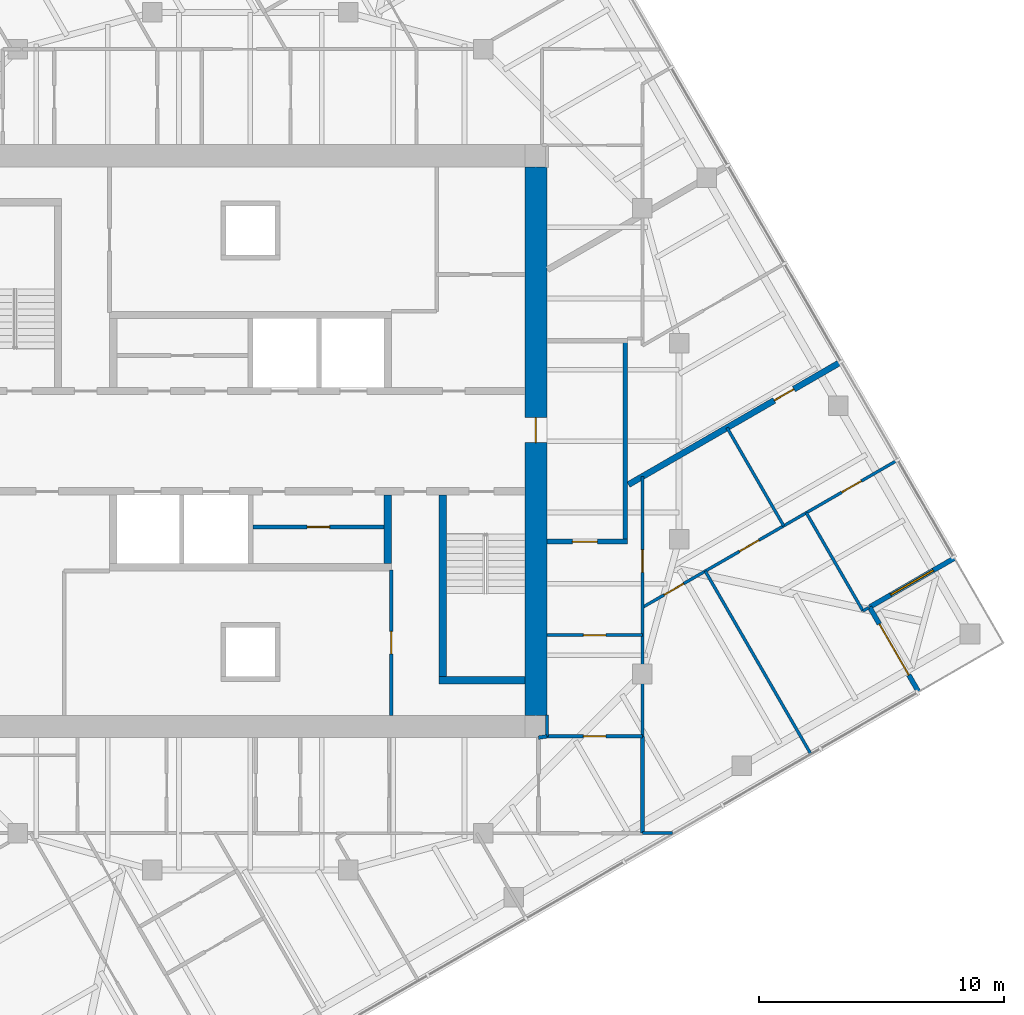
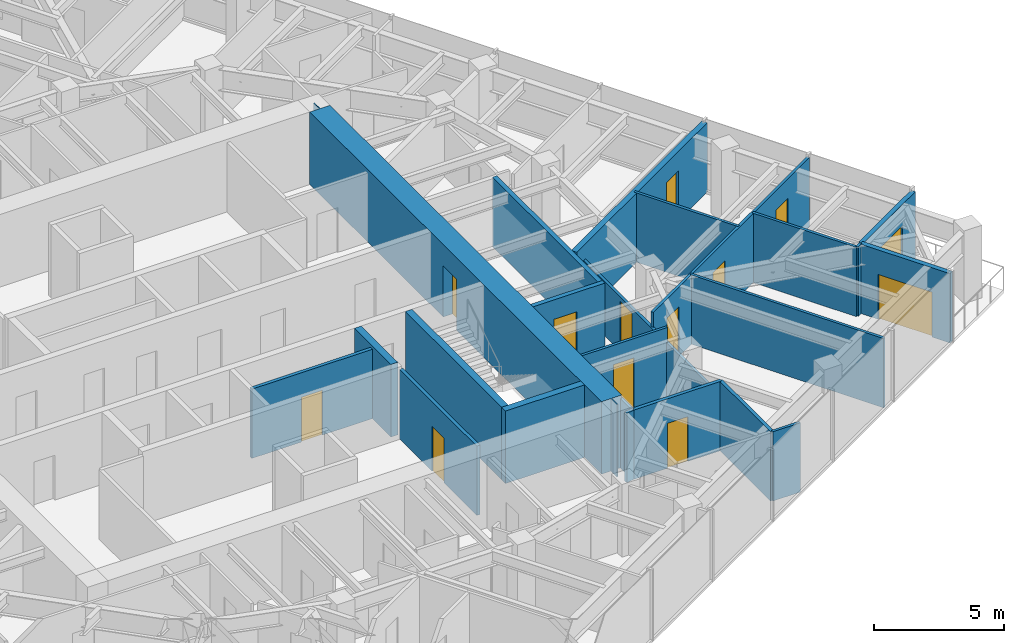
# One storey, part 9 of 13: 23 walls, 12 doors, 1 window, 13 openings.
"""IFC4 building model written with IfcOpenShell, lengths in metres."""

from ifc_helpers import new_model, si_unit, direction, frame, frame_2d, origin, place, context, subcontext, project, spatial, polyline, rectangle, outline, extrude, material, layer, layer_set, type_object, element, fill, save


model = new_model("IFC4")

# Units and contexts
model_context = context("Model", 3, precision=1e-05, world=origin(), true_north=direction((0.0, 1.0)))
body_context = subcontext(model_context, "Body", "Model", "MODEL_VIEW")
ifc_project = project(units=[si_unit("LENGTHUNIT", "METRE"), si_unit("AREAUNIT", "SQUARE_METRE"), si_unit("VOLUMEUNIT", "CUBIC_METRE"), si_unit("PLANEANGLEUNIT", "RADIAN"), si_unit("MASSUNIT", "GRAM", prefix="KILO")], contexts=[model_context])

# Site, building, storey
site_placement = place(None, origin())
site = spatial("IfcSite", under=ifc_project, at=site_placement, CompositionType="ELEMENT")
building_placement = place(site_placement, origin())
building = spatial("IfcBuilding", under=site, at=building_placement, Name="Torsade Residences", CompositionType="ELEMENT")
storey_placement = place(building_placement, frame((0.0, 0.0, 225.199951171875)))
storey = spatial("IfcBuildingStorey", under=building, at=storey_placement, Name="L62", CompositionType="ELEMENT", Elevation=225.199951171875)

# Walls
ifc_material_1 = material(Name="Concrete 80 MPa", Category="concrete")
ifc_layer_1 = layer(ifc_material_1, 0.300048828125)
ifc_layer_set_1 = layer_set([ifc_layer_1], Name="Concrete 80 MPa")
wall_type_1 = type_object("IfcWallType", Name="CORE INTERNAL WALL 300", PredefinedType="SHEAR", material=ifc_layer_set_1)
wall_1_placement = place(storey_placement, frame((45.60009765625, 27.800048828125, 0.0), z_axis=(0.0, 0.0, 1.0), x_axis=(0.0, -1.0, 0.0)))
element("IfcWall", 1, at=wall_1_placement, inside=storey, type_object=wall_type_1, Name="Core wall DS0 L62", PredefinedType="SHEAR", context=body_context, shape_type="SweptSolid", body=[
    extrude(rectangle(XDim=2.800048828125, YDim=0.300048828125, at=frame_2d((1.39990234375, 0.0))), origin(), (0.0, 0.0, 1.0), 3.400146484375),
])
wall_2_placement = place(storey_placement, frame((47.85009765625, 27.800048828125, 0.0), z_axis=(0.0, 0.0, 1.0), x_axis=(0.0, -1.0, 0.0)))
element("IfcWall", 2, at=wall_2_placement, inside=storey, type_object=wall_type_1, Name="Core wall ST2W L62", PredefinedType="SHEAR", context=body_context, shape_type="SweptSolid", body=[
    extrude(rectangle(XDim=7.699951171875, YDim=0.300048828125, at=frame_2d((3.85009765625, 0.0))), origin(), (0.0, 0.0, 1.0), 3.400146484375),
])
wall_3_placement = place(storey_placement, frame((51.199951171875, 20.25, 0.0), z_axis=(0.0, 0.0, 1.0), x_axis=(-1.0, 0.0, 0.0)))
element("IfcWall", 3, at=wall_3_placement, inside=storey, type_object=wall_type_1, Name="Core wall ST2S L62", PredefinedType="SHEAR", context=body_context, shape_type="SweptSolid", body=[
    extrude(rectangle(XDim=3.5, YDim=0.300048828125, at=frame_2d((1.75, 0.0))), origin(), (0.0, 0.0, 1.0), 3.400146484375),
])

# Wall, opening, door
ifc_material_2 = material(Name="Concrete 80 MPa", Category="concrete")
ifc_layer_2 = layer(ifc_material_2, 0.89990234375)
ifc_layer_set_2 = layer_set([ifc_layer_2], Name="Concrete 80 MPa")
wall_type_2 = type_object("IfcWallType", Name="CORE WALL 900", PredefinedType="SHEAR", material=ifc_layer_set_2)
wall_4_placement = place(storey_placement, frame((51.64990234375, 18.800048828125, 0.0), z_axis=(0.0, 0.0, 1.0), x_axis=(0.0, 1.0, 0.0)))
wall_4 = element("IfcWall", 4, at=wall_4_placement, inside=storey, type_object=wall_type_2, Name="Core wall E L62", PredefinedType="SHEAR", context=body_context, shape_type="SweptSolid", body=[
    extrude(outline(polyline([(0.0, -0.449951171875), (22.39990234375, -0.449951171875), (22.39990234375, -0.02490234375), (22.849853515625, -0.02490234375), (22.849853515625, 0.02490234375), (22.39990234375, 0.02490234375), (22.39990234375, 0.449951171875), (0.0, 0.449951171875), (0.0, 0.02490234375), (-0.449951171875, 0.02490234375), (-0.449951171875, -0.02490234375), (0.0, -0.02490234375), (0.0, -0.449951171875)])), origin(), (0.0, 0.0, 1.0), 3.400146484375),
])
opening_1_placement = place(wall_4_placement, frame((11.139892578125, 0.0, 0.0)))
opening_1 = element("IfcOpeningElement", 5, at=opening_1_placement, cuts=wall_4, Name="Opening D04", PredefinedType="OPENING", context=body_context, shape_type="SweptSolid", body=[
    extrude(rectangle(XDim=1.02001953125, YDim=2.39990234375, at=frame_2d((0.510009765625, 1.199951171875))), frame((0.0, 0.4599609375, 0.0), z_axis=(0.0, -1.0, 0.0), x_axis=(1.0, 0.0, 0.0)), (0.0, 0.0, 1.0), 0.919921875),
])
ifc_material_3 = material(Name="Steel-framed fire door", Category="steel")
door_type_1 = type_object("IfcDoorType", Name="LOBBY SMOKE DOOR 1020x2400", OperationType="NOTDEFINED", PredefinedType="DOOR", material=ifc_material_3)
door_1_placement = place(opening_1_placement, origin())
door_1 = element("IfcDoor", 6, at=door_1_placement, inside=storey, type_object=door_type_1, Name="Lift lobby door E L62", OperationType="SINGLE_SWING_LEFT", OverallHeight=2.39990234375, OverallWidth=1.02001953125, PredefinedType="DOOR", context=body_context, shape_type="SweptSolid", body=[
    extrude(rectangle(XDim=1.02001953125, YDim=2.39990234375, at=frame_2d((0.510009765625, 1.199951171875))), frame((0.0, 0.02490234375, 0.0), z_axis=(0.0, -1.0, 0.0), x_axis=(1.0, 0.0, 0.0)), (0.0, 0.0, 1.0), 0.050048828125),
])
fill(opening_1, door_1)

# Wall
ifc_material_4 = material(Name="Plasterboard on steel stud", Category="steel")
ifc_layer_3 = layer(ifc_material_4, 0.199951171875)
ifc_layer_set_3 = layer_set([ifc_layer_3], Name="Plasterboard on steel stud")
wall_type_3 = type_object("IfcWallType", Name="CORRIDOR WALL 200", PredefinedType="PARTITIONING", material=ifc_layer_set_3)
wall_5_placement = place(storey_placement, frame((55.300048828125, 25.89990234375, 0.0), z_axis=(0.0, 0.0, 1.0), x_axis=(0.0, 1.0, 0.0)))
element("IfcWall", 7, at=wall_5_placement, inside=storey, type_object=wall_type_3, Name="Corridor wall L62", PredefinedType="PARTITIONING", context=body_context, shape_type="SweptSolid", body=[
    extrude(rectangle(XDim=8.2001953125, YDim=0.199951171875, at=frame_2d((4.10009765625, 0.0))), origin(), (0.0, 0.0, 1.0), 3.25),
])

# Wall, opening, door
wall_6_placement = place(storey_placement, frame((52.10009765625, 25.89990234375, 0.0), z_axis=(0.0, 0.0, 1.0), x_axis=(1.0, 0.0, 0.0)))
wall_6 = element("IfcWall", 8, at=wall_6_placement, inside=storey, type_object=wall_type_3, Name="Corridor wall L62", PredefinedType="PARTITIONING", context=body_context, shape_type="SweptSolid", body=[
    extrude(rectangle(XDim=3.2998046875, YDim=0.199951171875, at=frame_2d((1.64990234375, 0.0))), origin(), (0.0, 0.0, 1.0), 3.25),
])
opening_2_placement = place(wall_6_placement, frame((1.0400390625, 0.0, 0.0)))
opening_2 = element("IfcOpeningElement", 9, at=opening_2_placement, cuts=wall_6, Name="Opening D01", PredefinedType="OPENING", context=body_context, shape_type="SweptSolid", body=[
    extrude(rectangle(XDim=1.02001953125, YDim=2.340087890625, at=frame_2d((0.510009765625, 1.169921875))), frame((0.0, 0.10986328125, 0.0), z_axis=(0.0, -1.0, 0.0), x_axis=(1.0, 0.0, 0.0)), (0.0, 0.0, 1.0), 0.219970703125),
])
ifc_material_5 = material(Name="Solid-core timber fire door", Category="wood")
door_type_2 = type_object("IfcDoorType", Name="APARTMENT ENTRY DOOR 1020x2340", OperationType="NOTDEFINED", PredefinedType="DOOR", material=ifc_material_5)
door_2_placement = place(opening_2_placement, origin())
door_2 = element("IfcDoor", 10, at=door_2_placement, inside=storey, type_object=door_type_2, Name="Door Residential corridor to Kitchen and dining", OperationType="SINGLE_SWING_LEFT", OverallHeight=2.340087890625, OverallWidth=1.02001953125, PredefinedType="DOOR", context=body_context, shape_type="SweptSolid", body=[
    extrude(rectangle(XDim=1.02001953125, YDim=2.340087890625, at=frame_2d((0.510009765625, 1.169921875))), frame((0.0, 0.02490234375, 0.0), z_axis=(0.0, -1.0, 0.0), x_axis=(1.0, 0.0, 0.0)), (0.0, 0.0, 1.0), 0.050048828125),
])
fill(opening_2, door_2)

ifc_material_6 = material(Name="Plasterboard on steel stud", Category="steel")
ifc_layer_4 = layer(ifc_material_6, 0.1201171875)
ifc_layer_set_4 = layer_set([ifc_layer_4], Name="Plasterboard on steel stud")
wall_type_4 = type_object("IfcWallType", Name="PARTITION 120", PredefinedType="PARTITIONING", material=ifc_layer_set_4)
wall_7_placement = place(storey_placement, frame((56.0, 22.08251953125, 0.0), z_axis=(0.0, 0.0, 1.0), x_axis=(-1.0, 0.0, 0.0)))
wall_7 = element("IfcWall", 11, at=wall_7_placement, inside=storey, type_object=wall_type_4, Name="Partition L62", PredefinedType="PARTITIONING", context=body_context, shape_type="SweptSolid", body=[
    extrude(rectangle(XDim=3.89990234375, YDim=0.1201171875, at=frame_2d((1.949951171875, 0.0))), origin(), (0.0, 0.0, 1.0), 3.25),
])
opening_3_placement = place(wall_7_placement, frame((1.489990234375, 0.0, 0.0)))
opening_3 = element("IfcOpeningElement", 12, at=opening_3_placement, cuts=wall_7, Name="Opening D02", PredefinedType="OPENING", context=body_context, shape_type="SweptSolid", body=[
    extrude(rectangle(XDim=0.919921875, YDim=2.340087890625, at=frame_2d((0.4599609375, 1.169921875))), frame((0.0, 0.070068359375, 0.0), z_axis=(0.0, -1.0, 0.0), x_axis=(1.0, 0.0, 0.0)), (0.0, 0.0, 1.0), 0.14013671875),
])
ifc_material_7 = material(Name="Hollow-core timber door", Category="wood")
door_type_3 = type_object("IfcDoorType", Name="INTERNAL DOOR 920x2340", OperationType="NOTDEFINED", PredefinedType="DOOR", material=ifc_material_7)
door_3_placement = place(opening_3_placement, origin())
door_3 = element("IfcDoor", 13, at=door_3_placement, inside=storey, type_object=door_type_3, Name="Door Kitchen and dining to Study", OperationType="SINGLE_SWING_LEFT", OverallHeight=2.340087890625, OverallWidth=0.919921875, PredefinedType="DOOR", context=body_context, shape_type="SweptSolid", body=[
    extrude(rectangle(XDim=0.919921875, YDim=2.340087890625, at=frame_2d((0.4599609375, 1.169921875))), frame((0.0, 0.02490234375, 0.0), z_axis=(0.0, -1.0, 0.0), x_axis=(1.0, 0.0, 0.0)), (0.0, 0.0, 1.0), 0.050048828125),
])
fill(opening_3, door_3)

wall_8_placement = place(storey_placement, frame((56.0, 28.556640625, 0.0), z_axis=(0.0, 0.0, 1.0), x_axis=(0.0, -1.0, 0.0)))
wall_8 = element("IfcWall", 14, at=wall_8_placement, inside=storey, type_object=wall_type_4, Name="Partition L62", PredefinedType="PARTITIONING", context=body_context, shape_type="SweptSolid", body=[
    extrude(rectangle(XDim=10.6005859375, YDim=0.1201171875, at=frame_2d((5.30029296875, 0.0))), origin(), (0.0, 0.0, 1.0), 2.550048828125),
])
opening_4_placement = place(wall_8_placement, frame((2.989013671875, 0.0, 0.0)))
opening_4 = element("IfcOpeningElement", 15, at=opening_4_placement, cuts=wall_8, Name="Opening D02", PredefinedType="OPENING", context=body_context, shape_type="SweptSolid", body=[
    extrude(rectangle(XDim=0.919921875, YDim=2.340087890625, at=frame_2d((0.4599609375, 1.169921875))), frame((0.0, 0.070068359375, 0.0), z_axis=(0.0, -1.0, 0.0), x_axis=(1.0, 0.0, 0.0)), (0.0, 0.0, 1.0), 0.14013671875),
])
door_4_placement = place(opening_4_placement, origin())
door_4 = element("IfcDoor", 16, at=door_4_placement, inside=storey, type_object=door_type_3, Name="Door Kitchen and dining to Living room 2", OperationType="SINGLE_SWING_RIGHT", OverallHeight=2.340087890625, OverallWidth=0.919921875, PredefinedType="DOOR", context=body_context, shape_type="SweptSolid", body=[
    extrude(rectangle(XDim=0.919921875, YDim=2.340087890625, at=frame_2d((0.4599609375, 1.169921875))), frame((0.0, 0.02490234375, 0.0), z_axis=(0.0, -1.0, 0.0), x_axis=(1.0, 0.0, 0.0)), (0.0, 0.0, 1.0), 0.050048828125),
])
fill(opening_4, door_4)

# Walls
wall_9_placement = place(storey_placement, frame((52.10009765625, 17.9560546875, 0.0), z_axis=(0.0, 0.0, 1.0), x_axis=(0.0, 1.0, 0.0)))
element("IfcWall", 17, at=wall_9_placement, inside=storey, type_object=wall_type_4, Name="Partition L62", PredefinedType="PARTITIONING", context=body_context, shape_type="SweptSolid", body=[
    extrude(rectangle(XDim=0.864013671875, YDim=0.1201171875, at=frame_2d((0.43212890625, 0.0))), origin(), (0.0, 0.0, 1.0), 3.25),
])
wall_10_placement = place(storey_placement, frame((58.56396484375, 24.696533203125, 0.0), z_axis=(0.0, 0.0, 1.0), x_axis=(0.499986667813, -0.866033100989, 0.0)))
element("IfcWall", 18, at=wall_10_placement, inside=storey, type_object=wall_type_4, Name="Partition L62", PredefinedType="PARTITIONING", context=body_context, shape_type="SweptSolid", body=[
    extrude(rectangle(XDim=8.585205078125, YDim=0.1201171875, at=frame_2d((4.29248046875, 0.0))), origin(), (0.0, 0.0, 1.0), 3.25),
])
wall_11_placement = place(storey_placement, frame((57.224609375, 14.010009765625, 0.0), z_axis=(0.0, 0.0, 1.0), x_axis=(-1.0, 0.0, 0.0)))
element("IfcWall", 19, at=wall_11_placement, inside=storey, type_object=wall_type_4, Name="Partition L62", PredefinedType="PARTITIONING", context=body_context, shape_type="SweptSolid", body=[
    extrude(rectangle(XDim=1.224609375, YDim=0.1201171875, at=frame_2d((0.6123046875, 0.0))), origin(), (0.0, 0.0, 1.0), 3.25),
])

# Wall, openings, doors
wall_12_placement = place(storey_placement, frame((56.0, 23.216064453125, 0.0), z_axis=(0.0, 0.0, 1.0), x_axis=(0.866023917076, 0.500002575046, 0.0)))
wall_12 = element("IfcWall", 20, at=wall_12_placement, inside=storey, type_object=wall_type_4, Name="Partition L62", PredefinedType="PARTITIONING", context=body_context, shape_type="SweptSolid", body=[
    extrude(rectangle(XDim=11.99560546875, YDim=0.1201171875, at=frame_2d((5.997802734375, 0.0))), origin(), (0.0, 0.0, 1.0), 3.25),
])
opening_5_placement = place(wall_12_placement, frame((4.573974609375, 0.0, 0.0)))
opening_5 = element("IfcOpeningElement", 21, at=opening_5_placement, cuts=wall_12, Name="Opening D02", PredefinedType="OPENING", context=body_context, shape_type="SweptSolid", body=[
    extrude(rectangle(XDim=0.919921875, YDim=2.340087890625, at=frame_2d((0.4599609375, 1.169921875))), frame((0.0, 0.070068359375, 0.0), z_axis=(0.0, -1.0, 0.0), x_axis=(1.0, 0.0, 0.0)), (0.0, 0.0, 1.0), 0.14013671875),
])
opening_6_placement = place(wall_12_placement, frame((1.020263671875, 0.0, 0.0)))
opening_6 = element("IfcOpeningElement", 22, at=opening_6_placement, cuts=wall_12, Name="Opening D02", PredefinedType="OPENING", context=body_context, shape_type="SweptSolid", body=[
    extrude(rectangle(XDim=0.919921875, YDim=2.340087890625, at=frame_2d((0.4599609375, 1.169921875))), frame((0.0, 0.070068359375, 0.0), z_axis=(0.0, -1.0, 0.0), x_axis=(1.0, 0.0, 0.0)), (0.0, 0.0, 1.0), 0.14013671875),
])
opening_7_placement = place(wall_12_placement, frame((9.394287109375, 0.0, 0.0)))
opening_7 = element("IfcOpeningElement", 23, at=opening_7_placement, cuts=wall_12, Name="Opening D02", PredefinedType="OPENING", context=body_context, shape_type="SweptSolid", body=[
    extrude(rectangle(XDim=0.919921875, YDim=2.340087890625, at=frame_2d((0.4599609375, 1.169921875))), frame((0.0, 0.070068359375, 0.0), z_axis=(0.0, -1.0, 0.0), x_axis=(1.0, 0.0, 0.0)), (0.0, 0.0, 1.0), 0.14013671875),
])
door_5_placement = place(opening_5_placement, origin())
door_5 = element("IfcDoor", 24, at=door_5_placement, inside=storey, type_object=door_type_3, Name="Door Living room 2 to Bedroom 2", OperationType="SINGLE_SWING_RIGHT", OverallHeight=2.340087890625, OverallWidth=0.919921875, PredefinedType="DOOR", context=body_context, shape_type="SweptSolid", body=[
    extrude(rectangle(XDim=0.919921875, YDim=2.340087890625, at=frame_2d((0.4599609375, 1.169921875))), frame((0.0, 0.02490234375, 0.0), z_axis=(0.0, -1.0, 0.0), x_axis=(1.0, 0.0, 0.0)), (0.0, 0.0, 1.0), 0.050048828125),
])
fill(opening_5, door_5)
door_6_placement = place(opening_6_placement, origin())
door_6 = element("IfcDoor", 25, at=door_6_placement, inside=storey, type_object=door_type_3, Name="Door Living room 2 to Principal bedroom", OperationType="SINGLE_SWING_LEFT", OverallHeight=2.340087890625, OverallWidth=0.919921875, PredefinedType="DOOR", context=body_context, shape_type="SweptSolid", body=[
    extrude(rectangle(XDim=0.919921875, YDim=2.340087890625, at=frame_2d((0.4599609375, 1.169921875))), frame((0.0, 0.02490234375, 0.0), z_axis=(0.0, -1.0, 0.0), x_axis=(1.0, 0.0, 0.0)), (0.0, 0.0, 1.0), 0.050048828125),
])
fill(opening_6, door_6)
door_7_placement = place(opening_7_placement, origin())
door_7 = element("IfcDoor", 26, at=door_7_placement, inside=storey, type_object=door_type_3, Name="Door Study 2 to Media room 2", OperationType="SINGLE_SWING_LEFT", OverallHeight=2.340087890625, OverallWidth=0.919921875, PredefinedType="DOOR", context=body_context, shape_type="SweptSolid", body=[
    extrude(rectangle(XDim=0.919921875, YDim=2.340087890625, at=frame_2d((0.4599609375, 1.169921875))), frame((0.0, 0.02490234375, 0.0), z_axis=(0.0, -1.0, 0.0), x_axis=(1.0, 0.0, 0.0)), (0.0, 0.0, 1.0), 0.050048828125),
])
fill(opening_7, door_7)

# Walls
wall_13_placement = place(storey_placement, frame((62.688232421875, 27.07763671875, 0.0), z_axis=(0.0, 0.0, 1.0), x_axis=(0.499999662836, -0.866025598446, 0.0)))
element("IfcWall", 27, at=wall_13_placement, inside=storey, type_object=wall_type_4, Name="Partition L62", PredefinedType="PARTITIONING", context=body_context, shape_type="SweptSolid", body=[
    extrude(rectangle(XDim=4.625, YDim=0.1201171875, at=frame_2d((2.3125, 0.0))), origin(), (0.0, 0.0, 1.0), 3.25),
])
wall_14_placement = place(storey_placement, frame((65.000732421875, 23.072265625, 0.0), z_axis=(0.0, 0.0, 1.0), x_axis=(0.866140847338, 0.499799992569, 0.0)))
element("IfcWall", 28, at=wall_14_placement, inside=storey, type_object=wall_type_4, Name="Partition L62", PredefinedType="PARTITIONING", context=body_context, shape_type="SweptSolid", body=[
    extrude(rectangle(XDim=0.2724609375, YDim=0.1201171875, at=frame_2d((0.13623046875, 0.0))), origin(), (0.0, 0.0, 1.0), 3.25),
])
wall_15_placement = place(storey_placement, frame((61.765625, 26.544921875, 0.0), z_axis=(0.0, 0.0, 1.0), x_axis=(-0.499999662836, 0.866025598446, 0.0)))
element("IfcWall", 29, at=wall_15_placement, inside=storey, type_object=wall_type_4, Name="Partition L62", PredefinedType="PARTITIONING", context=body_context, shape_type="SweptSolid", body=[
    extrude(rectangle(XDim=4.625, YDim=0.1201171875, at=frame_2d((2.3125, 0.0))), origin(), (0.0, 0.0, 1.0), 3.25),
])

# Wall, opening, door
ifc_material_8 = material(Name="Masonry-lined stud party wall", Category="masonry")
ifc_layer_5 = layer(ifc_material_8, 0.25)
ifc_layer_set_5 = layer_set([ifc_layer_5], Name="Masonry-lined stud party wall")
wall_type_5 = type_object("IfcWallType", Name="PARTY WALL 250", PredefinedType="PARTITIONING", material=ifc_layer_set_5)
wall_16_placement = place(storey_placement, frame((64.110595703125, 33.2392578125, 0.0), z_axis=(0.0, 0.0, 1.0), x_axis=(-0.866024190901, -0.50000210077, 0.0)))
wall_16 = element("IfcWall", 30, at=wall_16_placement, inside=storey, type_object=wall_type_5, Name="Party wall L62", PredefinedType="PARTITIONING", context=body_context, shape_type="SweptSolid", body=[
    extrude(rectangle(XDim=10.02587890625, YDim=0.25, at=frame_2d((5.012939453125, 0.0))), origin(), (0.0, 0.0, 1.0), 3.25),
])
opening_8_placement = place(wall_16_placement, frame((2.22900390625, 0.0, 0.0)))
opening_8 = element("IfcOpeningElement", 31, at=opening_8_placement, cuts=wall_16, Name="Opening D02", PredefinedType="OPENING", context=body_context, shape_type="SweptSolid", body=[
    extrude(rectangle(XDim=0.919921875, YDim=2.340087890625, at=frame_2d((0.4599609375, 1.169921875))), frame((0.0, 0.135009765625, 0.0), z_axis=(0.0, -1.0, 0.0), x_axis=(1.0, 0.0, 0.0)), (0.0, 0.0, 1.0), 0.27001953125),
])
door_8_placement = place(opening_8_placement, origin())
door_8 = element("IfcDoor", 32, at=door_8_placement, inside=storey, type_object=door_type_3, Name="Door Living room 2 to Study 2", OperationType="SINGLE_SWING_RIGHT", OverallHeight=2.340087890625, OverallWidth=0.919921875, PredefinedType="DOOR", context=body_context, shape_type="SweptSolid", body=[
    extrude(rectangle(XDim=0.919921875, YDim=2.340087890625, at=frame_2d((0.4599609375, 1.169921875))), frame((0.0, 0.02490234375, 0.0), z_axis=(0.0, -1.0, 0.0), x_axis=(1.0, 0.0, 0.0)), (0.0, 0.0, 1.0), 0.050048828125),
])
fill(opening_8, door_8)

ifc_material_9 = material(Name="Reinforced blockwork", Category="masonry")
ifc_layer_6 = layer(ifc_material_9, 0.14990234375)
ifc_layer_set_6 = layer_set([ifc_layer_6], Name="Reinforced blockwork")
wall_type_6 = type_object("IfcWallType", Name="SERVICE ROOM WALL 150", PredefinedType="SOLIDWALL", material=ifc_layer_set_6)
wall_17_placement = place(storey_placement, frame((45.75, 18.800048828125, 0.0), z_axis=(0.0, 0.0, 1.0), x_axis=(0.0, 1.0, 0.0)))
wall_17 = element("IfcWall", 33, at=wall_17_placement, inside=storey, type_object=wall_type_6, Name="Service room wall L62", PredefinedType="SOLIDWALL", context=body_context, shape_type="SweptSolid", body=[
    extrude(rectangle(XDim=5.949951171875, YDim=0.14990234375, at=frame_2d((2.97509765625, 0.0))), origin(), (0.0, 0.0, 1.0), 3.25),
])
opening_9_placement = place(wall_17_placement, frame((2.514892578125, 0.0, 0.0)))
opening_9 = element("IfcOpeningElement", 34, at=opening_9_placement, cuts=wall_17, Name="Opening D06", PredefinedType="OPENING", context=body_context, shape_type="SweptSolid", body=[
    extrude(rectangle(XDim=0.919921875, YDim=2.10009765625, at=frame_2d((0.4599609375, 1.050048828125))), frame((0.0, 0.0849609375, 0.0), z_axis=(0.0, -1.0, 0.0), x_axis=(1.0, 0.0, 0.0)), (0.0, 0.0, 1.0), 0.169921875),
])
ifc_material_10 = material(Name="Steel-framed fire door", Category="steel")
door_type_4 = type_object("IfcDoorType", Name="FIRE DOOR 920", OperationType="NOTDEFINED", PredefinedType="DOOR", material=ifc_material_10)
door_9_placement = place(opening_9_placement, origin())
door_9 = element("IfcDoor", 35, at=door_9_placement, inside=storey, type_object=door_type_4, Name="Door Security and data store to Communications riser room", OperationType="SINGLE_SWING_RIGHT", OverallHeight=2.10009765625, OverallWidth=0.919921875, PredefinedType="DOOR", context=body_context, shape_type="SweptSolid", body=[
    extrude(rectangle(XDim=0.919921875, YDim=2.10009765625, at=frame_2d((0.4599609375, 1.050048828125))), frame((0.0, 0.02490234375, 0.0), z_axis=(0.0, -1.0, 0.0), x_axis=(1.0, 0.0, 0.0)), (0.0, 0.0, 1.0), 0.050048828125),
])
fill(opening_9, door_9)

wall_18_placement = place(storey_placement, frame((56.0, 17.9560546875, 0.0), z_axis=(0.0, 0.0, 1.0), x_axis=(-1.0, 0.0, 0.0)))
wall_18 = element("IfcWall", 36, at=wall_18_placement, inside=storey, type_object=wall_type_6, Name="Service room wall L62", PredefinedType="SOLIDWALL", context=body_context, shape_type="SweptSolid", body=[
    extrude(rectangle(XDim=3.89990234375, YDim=0.14990234375, at=frame_2d((1.949951171875, 0.0))), origin(), (0.0, 0.0, 1.0), 3.25),
])
opening_10_placement = place(wall_18_placement, frame((1.489990234375, 0.0, 0.0)))
opening_10 = element("IfcOpeningElement", 37, at=opening_10_placement, cuts=wall_18, Name="Opening D02L", PredefinedType="OPENING", context=body_context, shape_type="SweptSolid", body=[
    extrude(rectangle(XDim=0.919921875, YDim=2.10009765625, at=frame_2d((0.4599609375, 1.050048828125))), frame((0.0, 0.0849609375, 0.0), z_axis=(0.0, -1.0, 0.0), x_axis=(1.0, 0.0, 0.0)), (0.0, 0.0, 1.0), 0.169921875),
])
ifc_material_11 = material(Name="Hollow-core timber door", Category="wood")
door_type_5 = type_object("IfcDoorType", Name="INTERNAL DOOR 920x2100", OperationType="NOTDEFINED", PredefinedType="DOOR", material=ifc_material_11)
door_10_placement = place(opening_10_placement, origin())
door_10 = element("IfcDoor", 38, at=door_10_placement, inside=storey, type_object=door_type_5, Name="Door Study to Linen store", OperationType="SINGLE_SWING_LEFT", OverallHeight=2.10009765625, OverallWidth=0.919921875, PredefinedType="DOOR", context=body_context, shape_type="SweptSolid", body=[
    extrude(rectangle(XDim=0.919921875, YDim=2.10009765625, at=frame_2d((0.4599609375, 1.050048828125))), frame((0.0, 0.02490234375, 0.0), z_axis=(0.0, -1.0, 0.0), x_axis=(1.0, 0.0, 0.0)), (0.0, 0.0, 1.0), 0.050048828125),
])
fill(opening_10, door_10)

# Walls
wall_19_placement = place(storey_placement, frame((56.0, 17.9560546875, 0.0), z_axis=(0.0, 0.0, 1.0), x_axis=(0.0, -1.0, 0.0)))
element("IfcWall", 39, at=wall_19_placement, inside=storey, type_object=wall_type_6, Name="Service room wall L62", PredefinedType="SOLIDWALL", context=body_context, shape_type="SweptSolid", body=[
    extrude(rectangle(XDim=3.9560546875, YDim=0.14990234375, at=frame_2d((1.97802734375, 0.0))), origin(), (0.0, 0.0, 1.0), 3.25),
])
wall_20_placement = place(storey_placement, frame((51.757080078125, 17.89990234375, 0.0), z_axis=(0.0, 0.0, 1.0), x_axis=(0.986864404584, 0.161550756622, 0.0)))
element("IfcWall", 40, at=wall_20_placement, inside=storey, type_object=wall_type_6, Name="Service room wall L62", PredefinedType="SOLIDWALL", context=body_context, shape_type="SweptSolid", body=[
    extrude(rectangle(XDim=0.34765625, YDim=0.14990234375, at=frame_2d((0.173828125, 0.0))), origin(), (0.0, 0.0, 1.0), 3.25),
])

# Wall, opening, door
wall_21_placement = place(storey_placement, frame((40.10009765625, 26.5, 0.0), z_axis=(0.0, 0.0, 1.0), x_axis=(1.0, 0.0, 0.0)))
wall_21 = element("IfcWall", 41, at=wall_21_placement, inside=storey, type_object=wall_type_6, Name="Service room wall L62", PredefinedType="SOLIDWALL", context=body_context, shape_type="SweptSolid", body=[
    extrude(rectangle(XDim=5.349853515625, YDim=0.14990234375, at=frame_2d((2.6748046875, 0.0))), origin(), (0.0, 0.0, 1.0), 3.25),
])
opening_11_placement = place(wall_21_placement, frame((2.215087890625, 0.0, 0.0)))
opening_11 = element("IfcOpeningElement", 42, at=opening_11_placement, cuts=wall_21, Name="Opening D06", PredefinedType="OPENING", context=body_context, shape_type="SweptSolid", body=[
    extrude(rectangle(XDim=0.919921875, YDim=2.10009765625, at=frame_2d((0.4599609375, 1.050048828125))), frame((0.0, 0.0849609375, 0.0), z_axis=(0.0, -1.0, 0.0), x_axis=(1.0, 0.0, 0.0)), (0.0, 0.0, 1.0), 0.169921875),
])
door_11_placement = place(opening_11_placement, origin())
door_11 = element("IfcDoor", 43, at=door_11_placement, inside=storey, type_object=door_type_4, Name="Door IT equipment room L62C to Records store L62D", OperationType="SINGLE_SWING_LEFT", OverallHeight=2.10009765625, OverallWidth=0.919921875, PredefinedType="DOOR", context=body_context, shape_type="SweptSolid", body=[
    extrude(rectangle(XDim=0.919921875, YDim=2.10009765625, at=frame_2d((0.4599609375, 1.050048828125))), frame((0.0, 0.02490234375, 0.0), z_axis=(0.0, -1.0, 0.0), x_axis=(1.0, 0.0, 0.0)), (0.0, 0.0, 1.0), 0.050048828125),
])
fill(opening_11, door_11)

ifc_material_12 = material(Name="Stone-faced precast concrete 40 MPa panel", Category="masonry")
ifc_layer_7 = layer(ifc_material_12, 0.199951171875)
ifc_layer_set_7 = layer_set([ifc_layer_7], Name="Stone-faced precast concrete 40 MPa panel")
wall_type_7 = type_object("IfcWallType", Name="TERRACE WALL 200", PredefinedType="SOLIDWALL", material=ifc_layer_set_7)
wall_22_placement = place(storey_placement, frame((67.271484375, 19.764404296875, 0.0), z_axis=(0.0, 0.0, 1.0), x_axis=(-0.49999894854, 0.866026010844, 0.0)))
wall_22 = element("IfcWall", 44, at=wall_22_placement, inside=storey, type_object=wall_type_7, Name="Terrace wall L62 2", PredefinedType="SOLIDWALL", context=body_context, shape_type="SweptSolid", body=[
    extrude(rectangle(XDim=4.0, YDim=0.199951171875, at=frame_2d((2.0, 0.0))), origin(), (0.0, 0.0, 1.0), 3.25),
])
opening_12_placement = place(wall_22_placement, frame((0.800048828125, 0.0, 0.0)))
opening_12 = element("IfcOpeningElement", 45, at=opening_12_placement, cuts=wall_22, Name="Opening D10A", PredefinedType="OPENING", context=body_context, shape_type="SweptSolid", body=[
    extrude(rectangle(XDim=2.39990234375, YDim=2.10009765625, at=frame_2d((1.199951171875, 1.050048828125))), frame((0.0, 0.10986328125, 0.0), z_axis=(0.0, -1.0, 0.0), x_axis=(1.0, 0.0, 0.0)), (0.0, 0.0, 1.0), 0.219970703125),
])
ifc_material_13 = material(Name="Aluminium-framed glass door", Category="aluminium")
door_type_6 = type_object("IfcDoorType", Name="TERRACE SLIDING DOOR 2400x2100", OperationType="SLIDING_TO_LEFT", PredefinedType="DOOR", material=ifc_material_13)
door_12_placement = place(opening_12_placement, origin())
door_12 = element("IfcDoor", 46, at=door_12_placement, inside=storey, type_object=door_type_6, Name="Terrace door L62 2", OperationType="SLIDING_TO_LEFT", OverallHeight=2.10009765625, OverallWidth=2.39990234375, PredefinedType="DOOR", context=body_context, shape_type="SweptSolid", body=[
    extrude(rectangle(XDim=2.39990234375, YDim=2.10009765625, at=frame_2d((1.199951171875, 1.050048828125))), frame((0.0, 0.02490234375, 0.0), z_axis=(0.0, -1.0, 0.0), x_axis=(1.0, 0.0, 0.0)), (0.0, 0.0, 1.0), 0.050048828125),
])
fill(opening_12, door_12)

# Wall, opening, window
wall_23_placement = place(storey_placement, frame((65.271484375, 23.228515625, 0.0), z_axis=(0.0, 0.0, 1.0), x_axis=(0.866026010844, 0.49999894854, 0.0)))
wall_23 = element("IfcWall", 47, at=wall_23_placement, inside=storey, type_object=wall_type_7, Name="Terrace wall L62 3", PredefinedType="SOLIDWALL", context=body_context, shape_type="SweptSolid", body=[
    extrude(rectangle(XDim=4.0, YDim=0.199951171875, at=frame_2d((2.0, 0.0))), origin(), (0.0, 0.0, 1.0), 3.25),
])
opening_13_placement = place(wall_23_placement, frame((1.0, 0.0, 0.449951171875)))
opening_13 = element("IfcOpeningElement", 48, at=opening_13_placement, cuts=wall_23, Name="Opening W1B", PredefinedType="OPENING", context=body_context, shape_type="SweptSolid", body=[
    extrude(rectangle(XDim=2.0, YDim=1.800048828125, at=frame_2d((1.0, 0.89990234375))), frame((0.0, 0.10986328125, 0.0), z_axis=(0.0, -1.0, 0.0), x_axis=(1.0, 0.0, 0.0)), (0.0, 0.0, 1.0), 0.219970703125),
])
ifc_material_14 = material(Name="Aluminium-framed glass window", Category="aluminium")
window_type = type_object("IfcWindowType", Name="TERRACE WINDOW 2000x1800", PartitioningType="SINGLE_PANEL", PredefinedType="WINDOW", material=ifc_material_14)
window_placement = place(opening_13_placement, origin())
window = element("IfcWindow", 49, at=window_placement, inside=storey, type_object=window_type, Name="Terrace window L62 3", OverallHeight=1.800048828125, OverallWidth=2.0, PartitioningType="SINGLE_PANEL", PredefinedType="WINDOW", context=body_context, shape_type="SweptSolid", body=[
    extrude(rectangle(XDim=2.0, YDim=1.800048828125, at=frame_2d((1.0, 0.89990234375))), frame((0.0, 0.030029296875, 0.0), z_axis=(0.0, -1.0, 0.0), x_axis=(1.0, 0.0, 0.0)), (0.0, 0.0, 1.0), 0.06005859375),
])
fill(opening_13, window)

save(model, "model.ifc")
